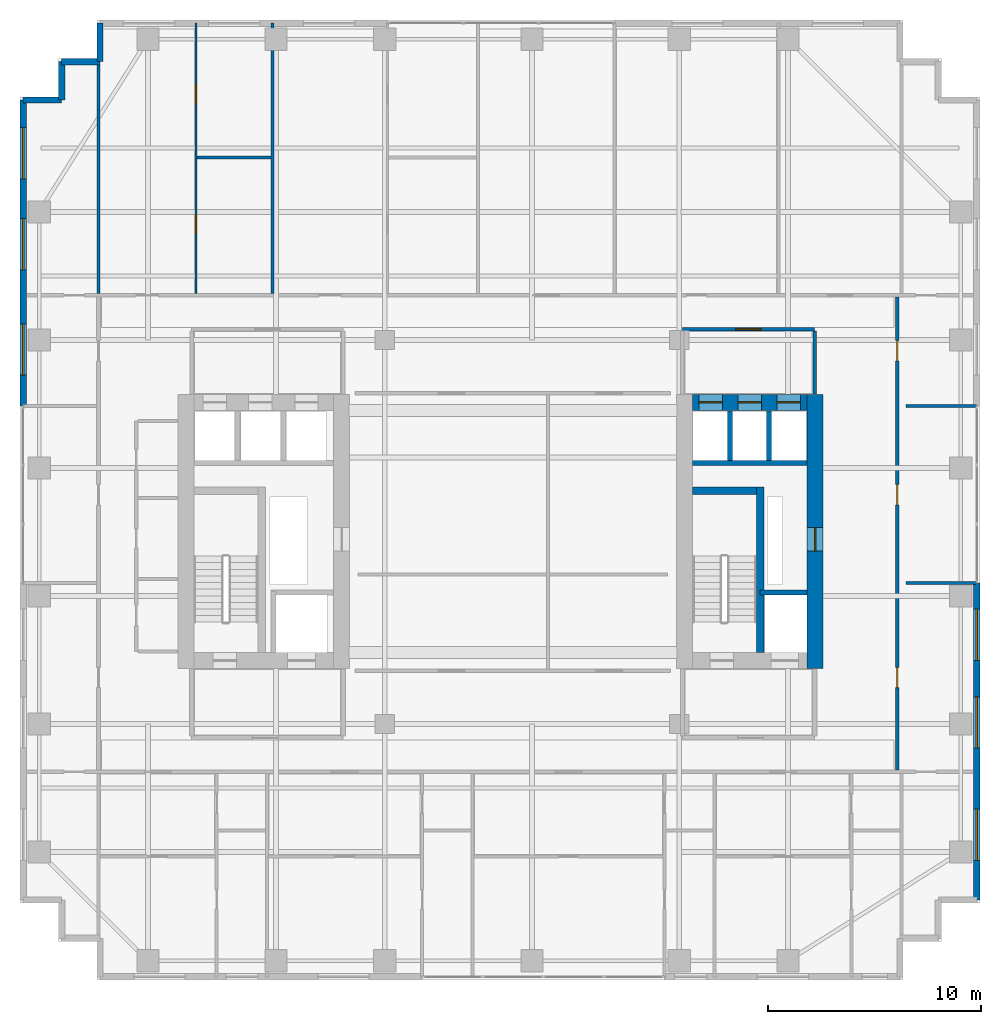
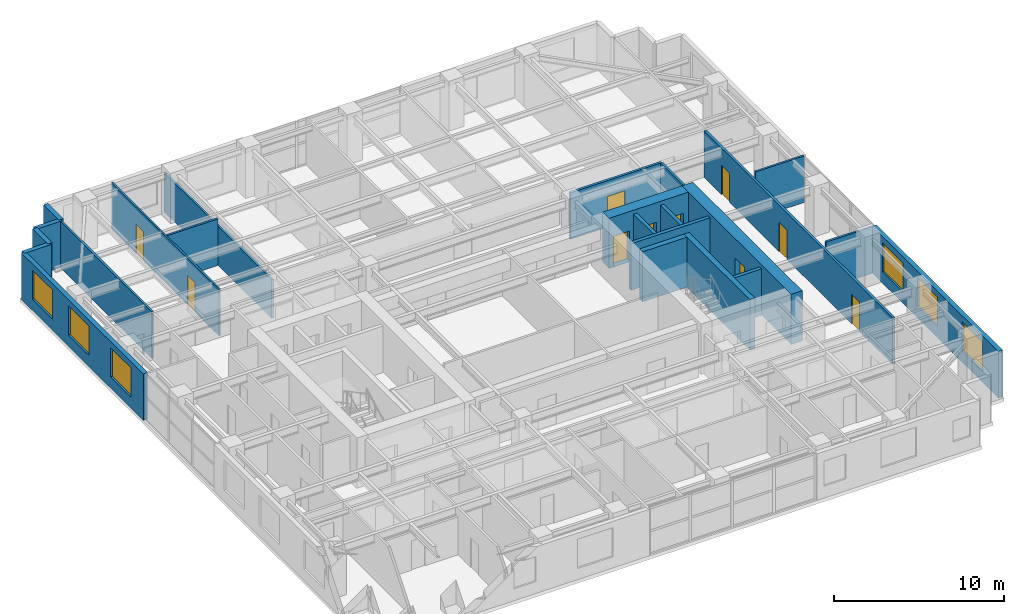
# One storey, part 15 of 20: 23 walls, 10 doors, 6 windows, 16 openings.
"""IFC4 building model written with IfcOpenShell, lengths in metres."""

from ifc_helpers import new_model, si_unit, direction, frame, frame_2d, origin, place, context, subcontext, project, spatial, rectangle, extrude, source, transform, mapped, material, layer, layer_set, type_object, element, fill, save


model = new_model("IFC4")

# Units and contexts
model_context = context("Model", 3, precision=1e-05, world=origin(), true_north=direction((0.0, 1.0)))
body_context = subcontext(model_context, "Body", "Model", "MODEL_VIEW")
ifc_project = project(units=[si_unit("LENGTHUNIT", "METRE"), si_unit("AREAUNIT", "SQUARE_METRE"), si_unit("VOLUMEUNIT", "CUBIC_METRE"), si_unit("PLANEANGLEUNIT", "RADIAN"), si_unit("MASSUNIT", "GRAM", prefix="KILO")], contexts=[model_context])

# Site, building, storey
site_placement = place(None, origin())
site = spatial("IfcSite", under=ifc_project, at=site_placement, CompositionType="ELEMENT")
building_placement = place(site_placement, origin())
building = spatial("IfcBuilding", under=site, at=building_placement, Name="Khoralis Quay Care Tower", CompositionType="ELEMENT")
storey_placement = place(building_placement, frame((0.0, 0.0, 116.10009765625)))
storey = spatial("IfcBuildingStorey", under=building, at=storey_placement, Name="L30", CompositionType="ELEMENT", Elevation=116.10009765625)

# Wall, opening, door
ifc_material_1 = material(Name="Concrete C80/95", Category="concrete")
ifc_layer_1 = layer(ifc_material_1, 0.75)
ifc_layer_set_1 = layer_set([ifc_layer_1], Name="Concrete C80/95")
wall_type_1 = type_object("IfcWallType", Name="WL-CORE-750", PredefinedType="SHEAR", material=ifc_layer_set_1)
wall_1_placement = place(storey_placement, frame((37.27490234375, 14.60009765625, 0.0), z_axis=(0.0, 0.0, 1.0), x_axis=(0.0, 1.0, 0.0)))
wall_1 = element("IfcWall", 1, at=wall_1_placement, inside=storey, type_object=wall_type_1, Name="L30 ECORE East Shear Wall", PredefinedType="SHEAR", context=body_context, shape_type="SweptSolid", body=[
    extrude(rectangle(XDim=12.849853515625, YDim=0.75, at=frame_2d((6.4248046875, 0.0))), origin(), (0.0, 0.0, 1.0), 3.599853515625),
])
opening_1_placement = place(wall_1_placement, frame((5.5, 0.0, 0.0)))
opening_1 = element("IfcOpeningElement", 2, at=opening_1_placement, cuts=wall_1, Name="Opening SD1", PredefinedType="OPENING", context=body_context, shape_type="SweptSolid", body=[
    extrude(rectangle(XDim=1.10009765625, YDim=2.199951171875, at=frame_2d((0.550048828125, 1.10009765625))), frame((0.0, 0.385009765625, 0.0), z_axis=(0.0, -1.0, 0.0), x_axis=(1.0, 0.0, 0.0)), (0.0, 0.0, 1.0), 0.77001953125),
])
ifc_material_2 = material(Name="Fire-rated painted steel", Category="steel")
door_type_1 = type_object("IfcDoorType", Name="DR-STAIR-1100X2200", OperationType="NOTDEFINED", PredefinedType="DOOR", material=ifc_material_2)
shared_shape_1 = source(origin(), body_context, "Body", "SweptSolid", [
    extrude(rectangle(XDim=1.10009765625, YDim=2.199951171875, at=frame_2d((0.550048828125, 1.10009765625))), frame((0.0, 0.02490234375, 0.0), z_axis=(0.0, -1.0, 0.0), x_axis=(1.0, 0.0, 0.0)), (0.0, 0.0, 1.0), 0.050048828125),
])
door_1_placement = place(opening_1_placement, frame((1.10009765625, 0.0, 0.0), z_axis=(0.0, 0.0, 1.0), x_axis=(-1.0, 0.0, 0.0)))
door_1 = element("IfcDoor", 3, at=door_1_placement, inside=storey, type_object=door_type_1, Name="L30 East MEP Riser Door", OperationType="SINGLE_SWING_LEFT", OverallHeight=2.199951171875, OverallWidth=1.10009765625, PredefinedType="DOOR", context=body_context, shape_type="MappedRepresentation", body=[
    mapped(shared_shape_1, transform((0.0, 0.0, 0.0), scale=1.0)),
])
fill(opening_1, door_1)

# Wall, openings, doors
wall_2_placement = place(storey_placement, frame((31.52001953125, 27.074951171875, 0.0), z_axis=(0.0, 0.0, 1.0), x_axis=(1.0, 0.0, 0.0)))
wall_2 = element("IfcWall", 4, at=wall_2_placement, inside=storey, type_object=wall_type_1, Name="L30 ECORE North Shear Wall", PredefinedType="SHEAR", context=body_context, shape_type="SweptSolid", body=[
    extrude(rectangle(XDim=5.3798828125, YDim=0.75, at=frame_2d((2.68994140625, 0.0))), origin(), (0.0, 0.0, 1.0), 3.599853515625),
])
opening_2_placement = place(wall_2_placement, frame((0.300048828125, 0.0, 0.0)))
opening_2 = element("IfcOpeningElement", 5, at=opening_2_placement, cuts=wall_2, Name="Opening LD1", PredefinedType="OPENING", context=body_context, shape_type="SweptSolid", body=[
    extrude(rectangle(XDim=1.10009765625, YDim=2.199951171875, at=frame_2d((0.550048828125, 1.10009765625))), frame((0.0, 0.385009765625, 0.0), z_axis=(0.0, -1.0, 0.0), x_axis=(1.0, 0.0, 0.0)), (0.0, 0.0, 1.0), 0.77001953125),
])
opening_3_placement = place(wall_2_placement, frame((2.1298828125, 0.0, 0.0)))
opening_3 = element("IfcOpeningElement", 6, at=opening_3_placement, cuts=wall_2, Name="Opening LD1", PredefinedType="OPENING", context=body_context, shape_type="SweptSolid", body=[
    extrude(rectangle(XDim=1.10009765625, YDim=2.199951171875, at=frame_2d((0.550048828125, 1.10009765625))), frame((0.0, 0.385009765625, 0.0), z_axis=(0.0, -1.0, 0.0), x_axis=(1.0, 0.0, 0.0)), (0.0, 0.0, 1.0), 0.77001953125),
])
opening_4_placement = place(wall_2_placement, frame((3.9599609375, 0.0, 0.0)))
opening_4 = element("IfcOpeningElement", 7, at=opening_4_placement, cuts=wall_2, Name="Opening LD1", PredefinedType="OPENING", context=body_context, shape_type="SweptSolid", body=[
    extrude(rectangle(XDim=1.10009765625, YDim=2.199951171875, at=frame_2d((0.550048828125, 1.10009765625))), frame((0.0, 0.385009765625, 0.0), z_axis=(0.0, -1.0, 0.0), x_axis=(1.0, 0.0, 0.0)), (0.0, 0.0, 1.0), 0.77001953125),
])
ifc_material_3 = material(Name="Brushed stainless steel", Category="steel")
door_type_2 = type_object("IfcDoorType", Name="DR-LIFT-1100X2200", OperationType="SLIDING_TO_LEFT", PredefinedType="DOOR", material=ifc_material_3)
shared_shape_2 = source(origin(), body_context, "Body", "SweptSolid", [
    extrude(rectangle(XDim=1.10009765625, YDim=2.199951171875, at=frame_2d((0.550048828125, 1.10009765625))), frame((0.0, 0.02490234375, 0.0), z_axis=(0.0, -1.0, 0.0), x_axis=(1.0, 0.0, 0.0)), (0.0, 0.0, 1.0), 0.050048828125),
])
door_2_placement = place(opening_2_placement, origin())
door_2 = element("IfcDoor", 8, at=door_2_placement, inside=storey, type_object=door_type_2, Name="L30 Lift PLL2 Landing Door", OperationType="SLIDING_TO_LEFT", OverallHeight=2.199951171875, OverallWidth=1.10009765625, PredefinedType="DOOR", context=body_context, shape_type="MappedRepresentation", body=[
    mapped(shared_shape_2, transform((0.0, 0.0, 0.0), scale=1.0)),
])
fill(opening_2, door_2)
door_3_placement = place(opening_3_placement, origin())
door_3 = element("IfcDoor", 9, at=door_3_placement, inside=storey, type_object=door_type_2, Name="L30 Lift PLM2 Landing Door", OperationType="SLIDING_TO_LEFT", OverallHeight=2.199951171875, OverallWidth=1.10009765625, PredefinedType="DOOR", context=body_context, shape_type="MappedRepresentation", body=[
    mapped(shared_shape_2, transform((0.0, 0.0, 0.0), scale=1.0)),
])
fill(opening_3, door_3)
door_4_placement = place(opening_4_placement, origin())
door_4 = element("IfcDoor", 10, at=door_4_placement, inside=storey, type_object=door_type_2, Name="L30 Lift PLH2 Landing Door", OperationType="SLIDING_TO_LEFT", OverallHeight=2.199951171875, OverallWidth=1.10009765625, PredefinedType="DOOR", context=body_context, shape_type="MappedRepresentation", body=[
    mapped(shared_shape_2, transform((0.0, 0.0, 0.0), scale=1.0)),
])
fill(opening_4, door_4)

# Wall, opening, door
ifc_material_4 = material(Name="Gypsum plasterboard on acoustic metal stud")
ifc_layer_2 = layer(ifc_material_4, 0.1650390625)
ifc_layer_set_2 = layer_set([ifc_layer_2], Name="Gypsum plasterboard on acoustic metal stud")
wall_type_2 = type_object("IfcWallType", Name="WL-CORR-165", PredefinedType="PARTITIONING", material=ifc_layer_set_2)
wall_3_placement = place(storey_placement, frame((31.050048828125, 30.5, 0.0), z_axis=(0.0, 0.0, 1.0), x_axis=(1.0, 0.0, 0.0)))
wall_3 = element("IfcWall", 11, at=wall_3_placement, inside=storey, type_object=wall_type_2, Name="L30 East Lift Lobby North Wall", PredefinedType="PARTITIONING", context=body_context, shape_type="SweptSolid", body=[
    extrude(rectangle(XDim=6.199951171875, YDim=0.1650390625, at=frame_2d((3.10009765625, 0.0))), origin(), (0.0, 0.0, 1.0), 3.33984375),
])
opening_5_placement = place(wall_3_placement, frame((2.5, 0.0, 0.0)))
opening_5 = element("IfcOpeningElement", 12, at=opening_5_placement, cuts=wall_3, Name="Opening FD1", PredefinedType="OPENING", context=body_context, shape_type="SweptSolid", body=[
    extrude(rectangle(XDim=1.199951171875, YDim=2.199951171875, at=frame_2d((0.60009765625, 1.10009765625))), frame((0.0, 0.092529296875, 0.0), z_axis=(0.0, -1.0, 0.0), x_axis=(1.0, 0.0, 0.0)), (0.0, 0.0, 1.0), 0.18505859375),
])
door_type_3 = type_object("IfcDoorType", Name="DR-FFL-1200X2200", OperationType="NOTDEFINED", PredefinedType="DOOR", material=ifc_material_2)
shared_shape_3 = source(origin(), body_context, "Body", "SweptSolid", [
    extrude(rectangle(XDim=1.199951171875, YDim=2.199951171875, at=frame_2d((0.60009765625, 1.10009765625))), frame((0.0, 0.02490234375, 0.0), z_axis=(0.0, -1.0, 0.0), x_axis=(1.0, 0.0, 0.0)), (0.0, 0.0, 1.0), 0.050048828125),
])
door_5_placement = place(opening_5_placement, origin())
door_5 = element("IfcDoor", 13, at=door_5_placement, inside=storey, type_object=door_type_3, Name="L30 East Lift Lobby Double Door", OperationType="DOUBLE_DOOR_SINGLE_SWING", OverallHeight=2.199951171875, OverallWidth=1.199951171875, PredefinedType="DOOR", context=body_context, shape_type="MappedRepresentation", body=[
    mapped(shared_shape_3, transform((0.0, 0.0, 0.0), scale=1.0)),
])
fill(opening_5, door_5)

# Wall
wall_4_placement = place(storey_placement, frame((37.25, 27.469970703125, 0.0), z_axis=(0.0, 0.0, 1.0), x_axis=(0.0, 1.0, 0.0)))
element("IfcWall", 14, at=wall_4_placement, inside=storey, type_object=wall_type_2, Name="L30 East Lift Lobby East Wall", PredefinedType="PARTITIONING", context=body_context, shape_type="SweptSolid", body=[
    extrude(rectangle(XDim=2.95263671875, YDim=0.1650390625, at=frame_2d((1.476318359375, 0.0))), origin(), (0.0, 0.0, 1.0), 3.33984375),
])

# Wall, openings, doors
wall_5_placement = place(storey_placement, frame((41.1201171875, 9.83740234375, 0.0), z_axis=(0.0, 0.0, 1.0), x_axis=(0.0, 1.0, 0.0)))
wall_5 = element("IfcWall", 15, at=wall_5_placement, inside=storey, type_object=wall_type_2, Name="L30 East Loop Corridor Wall", PredefinedType="PARTITIONING", context=body_context, shape_type="SweptSolid", body=[
    extrude(rectangle(XDim=22.18505859375, YDim=0.1650390625, at=frame_2d((11.092529296875, 0.0))), origin(), (0.0, 0.0, 1.0), 3.33984375),
])
opening_6_placement = place(wall_5_placement, frame((3.867431640625, 0.0, 0.0)))
opening_6 = element("IfcOpeningElement", 16, at=opening_6_placement, cuts=wall_5, Name="Opening ID1", PredefinedType="OPENING", context=body_context, shape_type="SweptSolid", body=[
    extrude(rectangle(XDim=0.949951171875, YDim=2.10009765625, at=frame_2d((0.47509765625, 1.050048828125))), frame((0.0, 0.092529296875, 0.0), z_axis=(0.0, -1.0, 0.0), x_axis=(1.0, 0.0, 0.0)), (0.0, 0.0, 1.0), 0.18505859375),
])
opening_7_placement = place(wall_5_placement, frame((12.4375, 0.0, 0.0)))
opening_7 = element("IfcOpeningElement", 17, at=opening_7_placement, cuts=wall_5, Name="Opening ID1", PredefinedType="OPENING", context=body_context, shape_type="SweptSolid", body=[
    extrude(rectangle(XDim=0.949951171875, YDim=2.10009765625, at=frame_2d((0.47509765625, 1.050048828125))), frame((0.0, 0.092529296875, 0.0), z_axis=(0.0, -1.0, 0.0), x_axis=(1.0, 0.0, 0.0)), (0.0, 0.0, 1.0), 0.18505859375),
])
opening_8_placement = place(wall_5_placement, frame((19.1875, 0.0, 0.0)))
opening_8 = element("IfcOpeningElement", 18, at=opening_8_placement, cuts=wall_5, Name="Opening ID1", PredefinedType="OPENING", context=body_context, shape_type="SweptSolid", body=[
    extrude(rectangle(XDim=0.949951171875, YDim=2.10009765625, at=frame_2d((0.47509765625, 1.050048828125))), frame((0.0, 0.092529296875, 0.0), z_axis=(0.0, -1.0, 0.0), x_axis=(1.0, 0.0, 0.0)), (0.0, 0.0, 1.0), 0.18505859375),
])
ifc_material_5 = material(Name="Acoustic hardwood timber", Category="wood")
door_type_4 = type_object("IfcDoorType", Name="DR-ROOM-950X2100", OperationType="NOTDEFINED", PredefinedType="DOOR", material=ifc_material_5)
shared_shape_4 = source(origin(), body_context, "Body", "SweptSolid", [
    extrude(rectangle(XDim=0.949951171875, YDim=2.10009765625, at=frame_2d((0.47509765625, 1.050048828125))), frame((0.0, 0.02490234375, 0.0), z_axis=(0.0, -1.0, 0.0), x_axis=(1.0, 0.0, 0.0)), (0.0, 0.0, 1.0), 0.050048828125),
])
door_6_placement = place(opening_6_placement, frame((0.949951171875, 0.0, 0.0), z_axis=(0.0, 0.0, 1.0), x_axis=(-1.0, 0.0, 0.0)))
door_6 = element("IfcDoor", 19, at=door_6_placement, inside=storey, type_object=door_type_4, Name="L30 Therapy Consultation Room Door", OperationType="SINGLE_SWING_LEFT", OverallHeight=2.10009765625, OverallWidth=0.949951171875, PredefinedType="DOOR", context=body_context, shape_type="MappedRepresentation", body=[
    mapped(shared_shape_4, transform((0.0, 0.0, 0.0), scale=1.0)),
])
fill(opening_6, door_6)
door_7_placement = place(opening_7_placement, frame((0.949951171875, 0.0, 0.0), z_axis=(0.0, 0.0, 1.0), x_axis=(-1.0, 0.0, 0.0)))
door_7 = element("IfcDoor", 20, at=door_7_placement, inside=storey, type_object=door_type_4, Name="L30 Assisted Activity Lounge Door", OperationType="SINGLE_SWING_RIGHT", OverallHeight=2.10009765625, OverallWidth=0.949951171875, PredefinedType="DOOR", context=body_context, shape_type="MappedRepresentation", body=[
    mapped(shared_shape_4, transform((0.0, 0.0, 0.0), scale=1.0)),
])
fill(opening_7, door_7)
door_8_placement = place(opening_8_placement, frame((0.949951171875, 0.0, 0.0), z_axis=(0.0, 0.0, 1.0), x_axis=(-1.0, 0.0, 0.0)))
door_8 = element("IfcDoor", 21, at=door_8_placement, inside=storey, type_object=door_type_4, Name="L30 Nurse Charting Office Door", OperationType="SINGLE_SWING_LEFT", OverallHeight=2.10009765625, OverallWidth=0.949951171875, PredefinedType="DOOR", context=body_context, shape_type="MappedRepresentation", body=[
    mapped(shared_shape_4, transform((0.0, 0.0, 0.0), scale=1.0)),
])
fill(opening_8, door_8)

# Wall, openings, windows
ifc_material_6 = material(Name="Precast concrete C45/55", Category="concrete")
ifc_layer_3 = layer(ifc_material_6, 0.300048828125)
ifc_layer_set_3 = layer_set([ifc_layer_3], Name="Precast concrete C45/55")
wall_type_3 = type_object("IfcWallType", Name="WL-EXT-REF-300", PredefinedType="SOLIDWALL", material=ifc_layer_set_3)
wall_6_placement = place(storey_placement, frame((44.85009765625, 3.75, 0.0), z_axis=(0.0, 0.0, 1.0), x_axis=(0.0, 1.0, 0.0)))
wall_6 = element("IfcWall", 22, at=wall_6_placement, inside=storey, type_object=wall_type_3, Name="L30 External Facade Wall WL-EXT-L30-P1-E5A", PredefinedType="SOLIDWALL", context=body_context, shape_type="SweptSolid", body=[
    extrude(rectangle(XDim=14.85009765625, YDim=0.300048828125, at=frame_2d((7.425048828125, 0.0))), origin(), (0.0, 0.0, 1.0), 3.33984375),
])
opening_9_placement = place(wall_6_placement, frame((1.85498046875, 0.0, 0.800048828125)))
opening_9 = element("IfcOpeningElement", 23, at=opening_9_placement, cuts=wall_6, Name="Opening W1", PredefinedType="OPENING", context=body_context, shape_type="SweptSolid", body=[
    extrude(rectangle(XDim=2.39990234375, YDim=2.10009765625, at=frame_2d((1.199951171875, 1.050048828125))), frame((0.0, 0.16015625, 0.0), z_axis=(0.0, -1.0, 0.0), x_axis=(1.0, 0.0, 0.0)), (0.0, 0.0, 1.0), 0.320068359375),
])
opening_10_placement = place(wall_6_placement, frame((7.125, 0.0, 0.800048828125)))
opening_10 = element("IfcOpeningElement", 24, at=opening_10_placement, cuts=wall_6, Name="Opening W1", PredefinedType="OPENING", context=body_context, shape_type="SweptSolid", body=[
    extrude(rectangle(XDim=2.39990234375, YDim=2.10009765625, at=frame_2d((1.199951171875, 1.050048828125))), frame((0.0, 0.16015625, 0.0), z_axis=(0.0, -1.0, 0.0), x_axis=(1.0, 0.0, 0.0)), (0.0, 0.0, 1.0), 0.320068359375),
])
opening_11_placement = place(wall_6_placement, frame((11.235107421875, 0.0, 0.800048828125)))
opening_11 = element("IfcOpeningElement", 25, at=opening_11_placement, cuts=wall_6, Name="Opening W1", PredefinedType="OPENING", context=body_context, shape_type="SweptSolid", body=[
    extrude(rectangle(XDim=2.39990234375, YDim=2.10009765625, at=frame_2d((1.199951171875, 1.050048828125))), frame((0.0, 0.16015625, 0.0), z_axis=(0.0, -1.0, 0.0), x_axis=(1.0, 0.0, 0.0)), (0.0, 0.0, 1.0), 0.320068359375),
])
ifc_material_7 = material(Name="Low-E solar-control double glazing", Category="glass")
window_type = type_object("IfcWindowType", Name="WN-POD-2400X2100", PartitioningType="SINGLE_PANEL", PredefinedType="WINDOW", material=ifc_material_7)
shared_shape_5 = source(origin(), body_context, "Body", "SweptSolid", [
    extrude(rectangle(XDim=2.39990234375, YDim=2.10009765625, at=frame_2d((1.199951171875, 1.050048828125))), frame((0.0, 0.030029296875, 0.0), z_axis=(0.0, -1.0, 0.0), x_axis=(1.0, 0.0, 0.0)), (0.0, 0.0, 1.0), 0.06005859375),
])
window_1_placement = place(opening_9_placement, origin())
window_1 = element("IfcWindow", 26, at=window_1_placement, inside=storey, type_object=window_type, Name="WN-L30-P1-E5A Facade Window 01", OverallHeight=2.10009765625, OverallWidth=2.39990234375, PartitioningType="SINGLE_PANEL", PredefinedType="WINDOW", context=body_context, shape_type="MappedRepresentation", body=[
    mapped(shared_shape_5, transform((0.0, 0.0, 0.0), scale=1.0)),
])
fill(opening_9, window_1)
window_2_placement = place(opening_10_placement, origin())
window_2 = element("IfcWindow", 27, at=window_2_placement, inside=storey, type_object=window_type, Name="WN-L30-P1-E5A Facade Window 02", OverallHeight=2.10009765625, OverallWidth=2.39990234375, PartitioningType="SINGLE_PANEL", PredefinedType="WINDOW", context=body_context, shape_type="MappedRepresentation", body=[
    mapped(shared_shape_5, transform((0.0, 0.0, 0.0), scale=1.0)),
])
fill(opening_10, window_2)
window_3_placement = place(opening_11_placement, origin())
window_3 = element("IfcWindow", 28, at=window_3_placement, inside=storey, type_object=window_type, Name="WN-L30-P1-E5A Facade Window 03", OverallHeight=2.10009765625, OverallWidth=2.39990234375, PartitioningType="SINGLE_PANEL", PredefinedType="WINDOW", context=body_context, shape_type="MappedRepresentation", body=[
    mapped(shared_shape_5, transform((0.0, 0.0, 0.0), scale=1.0)),
])
fill(opening_11, window_3)

# Walls
for number, where, z_axis, x_axis, name in (
    (29, (3.75, 44.85009765625, 0.0), (0.0, 0.0, 1.0), (0.0, -1.0, 0.0), "L30 External Facade Wall WL-EXT-L30-P1-C11"),
    (30, (3.75, 43.050048828125, 0.0), (0.0, 0.0, 1.0), (-1.0, 0.0, 0.0), "L30 External Facade Wall WL-EXT-L30-P1-C12"),
    (31, (1.949951171875, 43.050048828125, 0.0), (0.0, 0.0, 1.0), (0.0, -1.0, 0.0), "L30 External Facade Wall WL-EXT-L30-P1-C13"),
    (32, (1.949951171875, 41.25, 0.0), (0.0, 0.0, 1.0), (-1.0, 0.0, 0.0), "L30 External Facade Wall WL-EXT-L30-P1-C14"),
):
    element("IfcWall", number, at=place(storey_placement, frame(where, z_axis=z_axis, x_axis=x_axis)), inside=storey, type_object=wall_type_3, Name=name, PredefinedType="SOLIDWALL", context=body_context, shape_type="SweptSolid", body=[
        extrude(rectangle(XDim=1.800048828125, YDim=0.300048828125, at=frame_2d((0.89990234375, 0.0))), origin(), (0.0, 0.0, 1.0), 3.33984375),
    ])

# Wall, openings, windows
wall_7_placement = place(storey_placement, frame((0.14990234375, 41.25, 0.0), z_axis=(0.0, 0.0, 1.0), x_axis=(0.0, -1.0, 0.0)))
wall_7 = element("IfcWall", 33, at=wall_7_placement, inside=storey, type_object=wall_type_3, Name="L30 External Facade Wall WL-EXT-L30-P1-E15A", PredefinedType="SOLIDWALL", context=body_context, shape_type="SweptSolid", body=[
    extrude(rectangle(XDim=14.35009765625, YDim=0.300048828125, at=frame_2d((7.175048828125, 0.0))), origin(), (0.0, 0.0, 1.0), 3.33984375),
])
opening_12_placement = place(wall_7_placement, frame((1.29248046875, 0.0, 0.800048828125)))
opening_12 = element("IfcOpeningElement", 34, at=opening_12_placement, cuts=wall_7, Name="Opening W1", PredefinedType="OPENING", context=body_context, shape_type="SweptSolid", body=[
    extrude(rectangle(XDim=2.39990234375, YDim=2.10009765625, at=frame_2d((1.199951171875, 1.050048828125))), frame((0.0, 0.16015625, 0.0), z_axis=(0.0, -1.0, 0.0), x_axis=(1.0, 0.0, 0.0)), (0.0, 0.0, 1.0), 0.320068359375),
])
opening_13_placement = place(wall_7_placement, frame((5.5576171875, 0.0, 0.800048828125)))
opening_13 = element("IfcOpeningElement", 35, at=opening_13_placement, cuts=wall_7, Name="Opening W1", PredefinedType="OPENING", context=body_context, shape_type="SweptSolid", body=[
    extrude(rectangle(XDim=2.39990234375, YDim=2.10009765625, at=frame_2d((1.199951171875, 1.050048828125))), frame((0.0, 0.16015625, 0.0), z_axis=(0.0, -1.0, 0.0), x_axis=(1.0, 0.0, 0.0)), (0.0, 0.0, 1.0), 0.320068359375),
])
opening_14_placement = place(wall_7_placement, frame((10.5, 0.0, 0.800048828125)))
opening_14 = element("IfcOpeningElement", 36, at=opening_14_placement, cuts=wall_7, Name="Opening W1", PredefinedType="OPENING", context=body_context, shape_type="SweptSolid", body=[
    extrude(rectangle(XDim=2.39990234375, YDim=2.10009765625, at=frame_2d((1.199951171875, 1.050048828125))), frame((0.0, 0.16015625, 0.0), z_axis=(0.0, -1.0, 0.0), x_axis=(1.0, 0.0, 0.0)), (0.0, 0.0, 1.0), 0.320068359375),
])
window_4_placement = place(opening_12_placement, origin())
window_4 = element("IfcWindow", 37, at=window_4_placement, inside=storey, type_object=window_type, Name="WN-L30-P1-E15A Facade Window 01", OverallHeight=2.10009765625, OverallWidth=2.39990234375, PartitioningType="SINGLE_PANEL", PredefinedType="WINDOW", context=body_context, shape_type="MappedRepresentation", body=[
    mapped(shared_shape_5, transform((0.0, 0.0, 0.0), scale=1.0)),
])
fill(opening_12, window_4)
window_5_placement = place(opening_13_placement, origin())
window_5 = element("IfcWindow", 38, at=window_5_placement, inside=storey, type_object=window_type, Name="WN-L30-P1-E15A Facade Window 02", OverallHeight=2.10009765625, OverallWidth=2.39990234375, PartitioningType="SINGLE_PANEL", PredefinedType="WINDOW", context=body_context, shape_type="MappedRepresentation", body=[
    mapped(shared_shape_5, transform((0.0, 0.0, 0.0), scale=1.0)),
])
fill(opening_13, window_5)
window_6_placement = place(opening_14_placement, origin())
window_6 = element("IfcWindow", 39, at=window_6_placement, inside=storey, type_object=window_type, Name="WN-L30-P1-E15A Facade Window 03", OverallHeight=2.10009765625, OverallWidth=2.39990234375, PartitioningType="SINGLE_PANEL", PredefinedType="WINDOW", context=body_context, shape_type="MappedRepresentation", body=[
    mapped(shared_shape_5, transform((0.0, 0.0, 0.0), scale=1.0)),
])
fill(opening_14, window_6)

# Wall, openings, doors
ifc_layer_4 = layer(ifc_material_4, 0.114990234375)
ifc_layer_set_4 = layer_set([ifc_layer_4], Name="Gypsum plasterboard on acoustic metal stud")
wall_type_4 = type_object("IfcWallType", Name="WL-PART-115", PredefinedType="PARTITIONING", material=ifc_layer_set_4)
wall_8_placement = place(storey_placement, frame((8.25, 32.177490234375, 0.0), z_axis=(0.0, 0.0, 1.0), x_axis=(0.0, 1.0, 0.0)))
wall_8 = element("IfcWall", 40, at=wall_8_placement, inside=storey, type_object=wall_type_4, Name="L30 Studio 0 Internal Wall", PredefinedType="PARTITIONING", context=body_context, shape_type="SweptSolid", body=[
    extrude(rectangle(XDim=12.677490234375, YDim=0.114990234375, at=frame_2d((6.3388671875, 0.0))), origin(), (0.0, 0.0, 1.0), 3.33984375),
])
opening_15_placement = place(wall_8_placement, frame((8.87255859375, 0.0, 0.0)))
opening_15 = element("IfcOpeningElement", 41, at=opening_15_placement, cuts=wall_8, Name="Opening WD1", PredefinedType="OPENING", context=body_context, shape_type="SweptSolid", body=[
    extrude(rectangle(XDim=0.89990234375, YDim=2.10009765625, at=frame_2d((0.449951171875, 1.050048828125))), frame((0.0, 0.0673828125, 0.0), z_axis=(0.0, -1.0, 0.0), x_axis=(1.0, 0.0, 0.0)), (0.0, 0.0, 1.0), 0.135009765625),
])
opening_16_placement = place(wall_8_placement, frame((2.8125, 0.0, 0.0)))
opening_16 = element("IfcOpeningElement", 42, at=opening_16_placement, cuts=wall_8, Name="Opening WD1", PredefinedType="OPENING", context=body_context, shape_type="SweptSolid", body=[
    extrude(rectangle(XDim=0.89990234375, YDim=2.10009765625, at=frame_2d((0.449951171875, 1.050048828125))), frame((0.0, 0.0673828125, 0.0), z_axis=(0.0, -1.0, 0.0), x_axis=(1.0, 0.0, 0.0)), (0.0, 0.0, 1.0), 0.135009765625),
])
door_type_5 = type_object("IfcDoorType", Name="DR-BATH-900X2100", OperationType="NOTDEFINED", PredefinedType="DOOR", material=ifc_material_5)
shared_shape_6 = source(origin(), body_context, "Body", "SweptSolid", [
    extrude(rectangle(XDim=0.89990234375, YDim=2.10009765625, at=frame_2d((0.449951171875, 1.050048828125))), frame((0.0, 0.02490234375, 0.0), z_axis=(0.0, -1.0, 0.0), x_axis=(1.0, 0.0, 0.0)), (0.0, 0.0, 1.0), 0.050048828125),
])
door_9_placement = place(opening_15_placement, frame((0.89990234375, 0.0, 0.0), z_axis=(0.0, 0.0, 1.0), x_axis=(-1.0, 0.0, 0.0)))
door_9 = element("IfcDoor", 43, at=door_9_placement, inside=storey, type_object=door_type_5, Name="L30 Studio SKT Door", OperationType="SINGLE_SWING_LEFT", OverallHeight=2.10009765625, OverallWidth=0.89990234375, PredefinedType="DOOR", context=body_context, shape_type="MappedRepresentation", body=[
    mapped(shared_shape_6, transform((0.0, 0.0, 0.0), scale=1.0)),
])
fill(opening_15, door_9)
door_10_placement = place(opening_16_placement, frame((0.89990234375, 0.0, 0.0), z_axis=(0.0, 0.0, 1.0), x_axis=(-1.0, 0.0, 0.0)))
door_10 = element("IfcDoor", 44, at=door_10_placement, inside=storey, type_object=door_type_5, Name="L30 Studio SBH Door", OperationType="SINGLE_SWING_RIGHT", OverallHeight=2.10009765625, OverallWidth=0.89990234375, PredefinedType="DOOR", context=body_context, shape_type="MappedRepresentation", body=[
    mapped(shared_shape_6, transform((0.0, 0.0, 0.0), scale=1.0)),
])
fill(opening_16, door_10)

# Walls
ifc_material_8 = material(Name="Moisture-resistant gypsum and ceramic tile")
ifc_layer_5 = layer(ifc_material_8, 0.280029296875)
ifc_layer_set_5 = layer_set([ifc_layer_5], Name="Moisture-resistant gypsum and ceramic tile")
wall_type_5 = type_object("IfcWallType", Name="WL-PLUMB-280", PredefinedType="PLUMBINGWALL", material=ifc_layer_set_5)
wall_9_placement = place(storey_placement, frame((8.302490234375, 38.550048828125, 0.0), z_axis=(0.0, 0.0, 1.0), x_axis=(1.0, 0.0, 0.0)))
element("IfcWall", 45, at=wall_9_placement, inside=storey, type_object=wall_type_5, Name="L30 Studio 0 Wet Split", PredefinedType="PLUMBINGWALL", context=body_context, shape_type="SweptSolid", body=[
    extrude(rectangle(XDim=3.472412109375, YDim=0.139892578125, at=frame_2d((1.736328125, 0.0))), origin(), (0.0, 0.0, 1.0), 3.33984375),
])
ifc_material_9 = material(Name="Concrete C40/50", Category="concrete")
ifc_layer_6 = layer(ifc_material_9, 0.35009765625)
ifc_layer_set_6 = layer_set([ifc_layer_6], Name="Concrete C40/50")
wall_type_6 = type_object("IfcWallType", Name="WL-SC-CORE-350", PredefinedType="SHEAR", material=ifc_layer_set_6)
wall_10_placement = place(storey_placement, frame((34.695068359375, 15.35009765625, 0.0), z_axis=(0.0, 0.0, 1.0), x_axis=(0.0, 1.0, 0.0)))
element("IfcWall", 46, at=wall_10_placement, inside=storey, type_object=wall_type_6, Name="L30 Stair ST-T2 Shear Baffle Wall East", PredefinedType="SHEAR", context=body_context, shape_type="SweptSolid", body=[
    extrude(rectangle(XDim=7.75, YDim=0.35009765625, at=frame_2d((3.875, 0.0))), origin(), (0.0, 0.0, 1.0), 3.599853515625),
])
wall_11_placement = place(storey_placement, frame((31.52001953125, 22.925048828125, 0.0), z_axis=(0.0, 0.0, 1.0), x_axis=(1.0, 0.0, 0.0)))
element("IfcWall", 47, at=wall_11_placement, inside=storey, type_object=wall_type_6, Name="L30 Stair ST-T2 Shear Baffle Wall North", PredefinedType="SHEAR", context=body_context, shape_type="SweptSolid", body=[
    extrude(rectangle(XDim=3.0, YDim=0.35009765625, at=frame_2d((1.5, 0.0))), origin(), (0.0, 0.0, 1.0), 3.599853515625),
])
ifc_layer_7 = layer(ifc_material_4, 0.239990234375)
ifc_layer_set_7 = layer_set([ifc_layer_7], Name="Gypsum plasterboard on acoustic metal stud")
wall_type_7 = type_object("IfcWallType", Name="WL-SHAFT-240", PredefinedType="PARTITIONING", material=ifc_layer_set_7)
wall_12_placement = place(storey_placement, frame((34.679931640625, 18.169921875, 0.0), z_axis=(0.0, 0.0, 1.0), x_axis=(1.0, 0.0, 0.0)))
element("IfcWall", 48, at=wall_12_placement, inside=storey, type_object=wall_type_7, Name="L30 FFL-2 Shaft Wall North", PredefinedType="PARTITIONING", context=body_context, shape_type="SweptSolid", body=[
    extrude(rectangle(XDim=2.199951171875, YDim=0.239990234375, at=frame_2d((1.10009765625, 0.0))), origin(), (0.0, 0.0, 1.0), 3.33984375),
])
wall_13_placement = place(storey_placement, frame((31.52001953125, 24.22998046875, 0.0), z_axis=(0.0, 0.0, 1.0), x_axis=(1.0, 0.0, 0.0)))
element("IfcWall", 49, at=wall_13_placement, inside=storey, type_object=wall_type_7, Name="L30 East Passenger Shaft South Wall", PredefinedType="PARTITIONING", context=body_context, shape_type="SweptSolid", body=[
    extrude(rectangle(XDim=5.35986328125, YDim=0.239990234375, at=frame_2d((2.679931640625, 0.0))), origin(), (0.0, 0.0, 1.0), 3.33984375),
])
for number, where, z_axis, x_axis, name in (
    (50, (33.2900390625, 24.344970703125, 0.0), (0.0, 0.0, 1.0), (0.0, 1.0, 0.0), "L30 East Shaft Divider 1"),
    (51, (35.110107421875, 24.344970703125, 0.0), (0.0, 0.0, 1.0), (0.0, 1.0, 0.0), "L30 East Shaft Divider 2"),
):
    element("IfcWall", number, at=place(storey_placement, frame(where, z_axis=z_axis, x_axis=x_axis)), inside=storey, type_object=wall_type_7, Name=name, PredefinedType="PARTITIONING", context=body_context, shape_type="SweptSolid", body=[
        extrude(rectangle(XDim=2.3349609375, YDim=0.239990234375, at=frame_2d((1.16748046875, 0.0))), origin(), (0.0, 0.0, 1.0), 3.33984375),
    ])
ifc_layer_8 = layer(ifc_material_4, 0.139892578125)
ifc_layer_set_8 = layer_set([ifc_layer_8], Name="Gypsum plasterboard on acoustic metal stud")
wall_type_8 = type_object("IfcWallType", Name="WL-UNIT-140", PredefinedType="PARTITIONING", material=ifc_layer_set_8)
for number, where, z_axis, x_axis, name in (
    (52, (41.5400390625, 18.60009765625, 0.0), (0.0, 0.0, 1.0), (1.0, 0.0, 0.0), "L30 EE Divider 1"),
    (53, (41.5400390625, 26.89990234375, 0.0), (0.0, 0.0, 1.0), (1.0, 0.0, 0.0), "L30 EE Divider 2"),
):
    element("IfcWall", number, at=place(storey_placement, frame(where, z_axis=z_axis, x_axis=x_axis)), inside=storey, type_object=wall_type_8, Name=name, PredefinedType="PARTITIONING", context=body_context, shape_type="SweptSolid", body=[
        extrude(rectangle(XDim=3.31494140625, YDim=0.139892578125, at=frame_2d((1.657470703125, 0.0))), origin(), (0.0, 0.0, 1.0), 3.33984375),
    ])
wall_14_placement = place(storey_placement, frame((3.679931640625, 32.177490234375, 0.0), z_axis=(0.0, 0.0, 1.0), x_axis=(0.0, 1.0, 0.0)))
element("IfcWall", 54, at=wall_14_placement, inside=storey, type_object=wall_type_8, Name="L30 NB Demising Wall 0", PredefinedType="PARTITIONING", context=body_context, shape_type="SweptSolid", body=[
    extrude(rectangle(XDim=10.87744140625, YDim=0.139892578125, at=frame_2d((5.438720703125, 0.0))), origin(), (0.0, 0.0, 1.0), 3.33984375),
])
wall_15_placement = place(storey_placement, frame((11.840087890625, 32.177490234375, 0.0), z_axis=(0.0, 0.0, 1.0), x_axis=(0.0, 1.0, 0.0)))
element("IfcWall", 55, at=wall_15_placement, inside=storey, type_object=wall_type_8, Name="L30 NB Demising Wall 1", PredefinedType="PARTITIONING", context=body_context, shape_type="SweptSolid", body=[
    extrude(rectangle(XDim=12.677490234375, YDim=0.139892578125, at=frame_2d((6.3388671875, 0.0))), origin(), (0.0, 0.0, 1.0), 2.7958984375),
])

save(model, "model.ifc")
